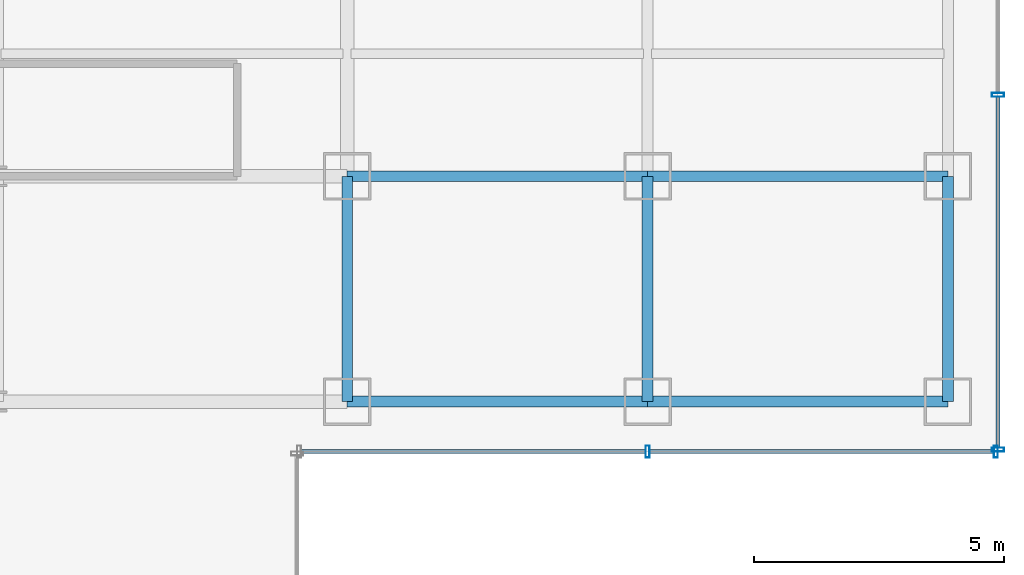
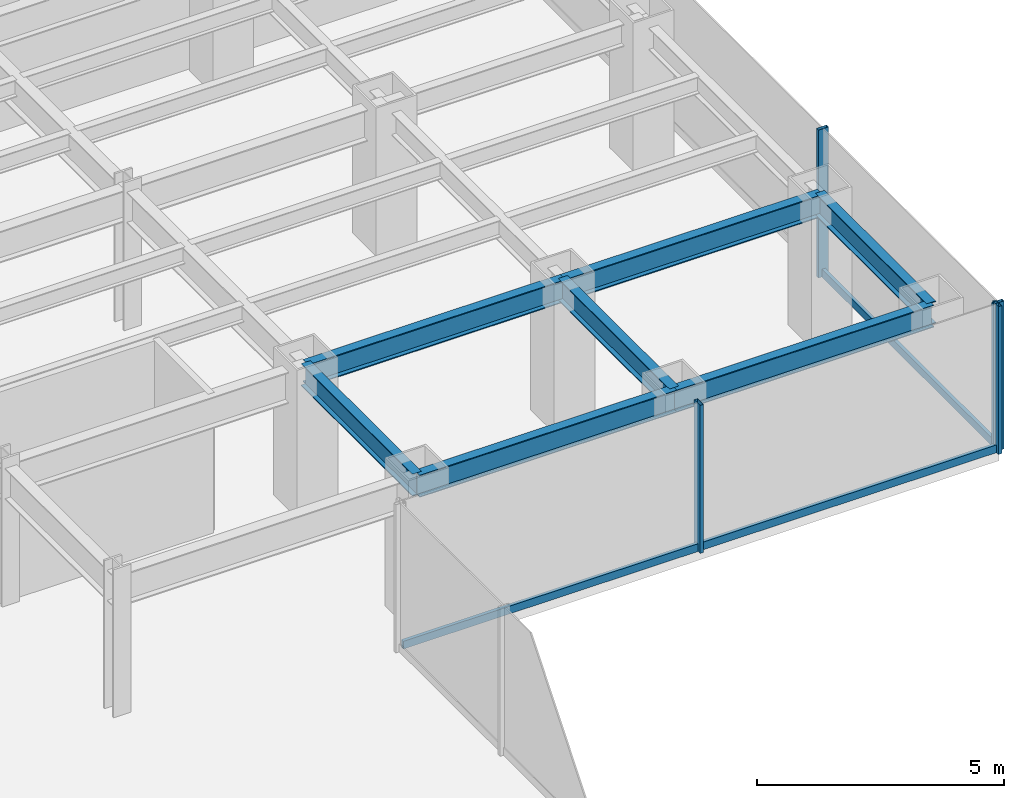
# One storey, part 7 of 23: 7 beams, 7 members, 2 elements without a shape of their own.
"""IFC4 building model written with IfcOpenShell, lengths in metres."""

from ifc_helpers import new_model, si_unit, derived_unit, direction, frame, origin, origin_2d, place, context, subcontext, project, spatial, hollow_rectangle, i_section, extrude, source, transform, mapped, material, material_profile, profile_set, type_object, element, aggregate, save


model = new_model("IFC4")

# Units and contexts
model_context = context("Model", 3, precision=1e-05, world=origin(), true_north=direction((0.0, 1.0)))
body_context = subcontext(model_context, "Body", "Model", "MODEL_VIEW")
ifc_project = project(units=[si_unit("LENGTHUNIT", "METRE"), si_unit("AREAUNIT", "SQUARE_METRE"), si_unit("VOLUMEUNIT", "CUBIC_METRE"), si_unit("PLANEANGLEUNIT", "RADIAN"), si_unit("MASSUNIT", "GRAM", prefix="KILO"), derived_unit("THERMALTRANSMITTANCEUNIT", [(si_unit("POWERUNIT", "WATT"), 1), (si_unit("LENGTHUNIT", "METRE"), -2), (si_unit("THERMODYNAMICTEMPERATUREUNIT", "KELVIN"), -1)])], contexts=[model_context])

# Site, building, storey
site_placement = place(None, origin())
site = spatial("IfcSite", under=ifc_project, at=site_placement, CompositionType="ELEMENT")
building_placement = place(site_placement, origin())
building = spatial("IfcBuilding", under=site, at=building_placement, Name="Skarnbrae Concourse Arena and Tower", CompositionType="ELEMENT")
storey_placement = place(building_placement, frame((0.0, 0.0, 54.39990234375)))
storey = spatial("IfcBuildingStorey", under=building, at=storey_placement, Name="L12", CompositionType="ELEMENT", Elevation=54.39990234375)

# Beams
ifc_material_1 = material(Name="Steel CSA G40.21 350W", Category="steel")
ifc_material_profile_1 = material_profile(ifc_material_1, i_section(OverallWidth=0.214111328125, OverallDepth=0.549072265625, WebThickness=0.0146484375, FlangeThickness=0.023681640625, at=origin_2d()), Name="W530X138")
ifc_profile_set_1 = profile_set([ifc_material_profile_1], Name="Steel CSA G40.21 350W")
beam_type = type_object("IfcBeamType", Name="BM-SPAN-W530X138", PredefinedType="SPANDREL", material=ifc_profile_set_1)
shared_shape_1 = source(origin(), body_context, "Body", "SweptSolid", [
    extrude(i_section(OverallWidth=0.214111328125, OverallDepth=0.549072265625, WebThickness=0.0146484375, FlangeThickness=0.023681640625, at=origin_2d()), origin(), (0.0, 0.0, 1.0), 6.0),
])
for number, where, z_axis, x_axis, name in (
    (1, (49.0, 9.5, 3.12548828125), (1.0, 0.0, 0.0), (0.0, 1.0, 0.0), "L12 Perimeter spandrel Y9.5-3"),
    (2, (55.0, 9.5, 3.12548828125), (1.0, 0.0, 0.0), (0.0, 1.0, 0.0), "L12 Perimeter spandrel Y9.5-4"),
    (3, (49.0, 14.0, 3.12548828125), (1.0, 0.0, 0.0), (0.0, 1.0, 0.0), "L12 Perimeter spandrel Y14.0-8"),
    (4, (55.0, 14.0, 3.12548828125), (1.0, 0.0, 0.0), (0.0, 1.0, 0.0), "L12 Perimeter spandrel Y14.0-9"),
):
    element("IfcBeam", number, at=place(storey_placement, frame(where, z_axis=z_axis, x_axis=x_axis)), inside=storey, type_object=beam_type, Name=name, PredefinedType="SPANDREL", context=body_context, shape_type="MappedRepresentation", body=[
        mapped(shared_shape_1, transform((0.0, 0.0, 0.0))),
    ])
shared_shape_2 = source(origin(), body_context, "Body", "SweptSolid", [
    extrude(i_section(OverallWidth=0.214111328125, OverallDepth=0.549072265625, WebThickness=0.0146484375, FlangeThickness=0.023681640625, at=origin_2d()), origin(), (0.0, 0.0, 1.0), 4.5),
])
for number, where, z_axis, x_axis, name in (
    (5, (49.0, 9.5, 3.12548828125), (0.0, 1.0, 0.0), (-1.0, 0.0, 0.0), "L12 Perimeter spandrel X49.0-1"),
    (6, (55.0, 9.5, 3.12548828125), (0.0, 1.0, 0.0), (-1.0, 0.0, 0.0), "L12 Perimeter spandrel X55.0-1"),
    (7, (61.0, 9.5, 3.12548828125), (0.0, 1.0, 0.0), (-1.0, 0.0, 0.0), "L12 Perimeter spandrel X61.0-1"),
):
    element("IfcBeam", number, at=place(storey_placement, frame(where, z_axis=z_axis, x_axis=x_axis)), inside=storey, type_object=beam_type, Name=name, PredefinedType="SPANDREL", context=body_context, shape_type="MappedRepresentation", body=[
        mapped(shared_shape_2, transform((0.0, 0.0, 0.0))),
    ])

# Curtain wall, members
ifc_material_2 = material(Name="Bronze anodised aluminium 6063-T6", Category="aluminium")
curtain_wall_type = type_object("IfcCurtainWallType", Name="CW-SYS-02-LOWZONE", PredefinedType="USERDEFINED", material=ifc_material_2)
curtain_wall_1_placement = place(storey_placement, origin())
curtain_wall_1 = element("IfcCurtainWall", 8, at=curtain_wall_1_placement, inside=storey, type_object=curtain_wall_type, Name="L12 Unitised curtain wall CW-L12-E03", ObjectType="UNITISED CURTAIN WALL", PredefinedType="USERDEFINED")
ifc_material_profile_2 = material_profile(ifc_material_2, hollow_rectangle(XDim=0.080078125, YDim=0.18994140625, WallThickness=0.0048828125, at=origin_2d()), Name="ALU-TRAN-80X190")
ifc_profile_set_2 = profile_set([ifc_material_profile_2], Name="Bronze anodised aluminium 6063-T6")
member_type_1 = type_object("IfcMemberType", Name="CWT-CW-02", PredefinedType="USERDEFINED", material=ifc_profile_set_2)
shared_shape_3 = source(origin(), body_context, "Body", "SweptSolid", [
    extrude(hollow_rectangle(XDim=0.080078125, YDim=0.18994140625, WallThickness=0.0048828125, at=origin_2d()), origin(), (0.0, 0.0, 1.0), 6.8798828125),
])
member_1_placement = place(storey_placement, frame((48.080078125, 8.5, 0.09521484375), z_axis=(1.0, 0.0, 0.0), x_axis=(0.0, 1.0, 0.0)))
member_1 = element("IfcMember", 9, at=member_1_placement, type_object=member_type_1, Name="CW-L12-E03 Transom 1", ObjectType="TRANSOM", PredefinedType="USERDEFINED", context=body_context, shape_type="MappedRepresentation", body=[
    mapped(shared_shape_3, transform((0.0, 0.0, 0.0))),
])
member_2_placement = place(storey_placement, frame((55.0400390625, 8.5, 0.09521484375), z_axis=(1.0, 0.0, 0.0), x_axis=(0.0, 1.0, 0.0)))
member_2 = element("IfcMember", 10, at=member_2_placement, type_object=member_type_1, Name="CW-L12-E03 Transom 2", ObjectType="TRANSOM", PredefinedType="USERDEFINED", context=body_context, shape_type="MappedRepresentation", body=[
    mapped(shared_shape_3, transform((0.0, 0.0, 0.0))),
])

# Curtain wall, member
curtain_wall_2_placement = place(storey_placement, origin())
curtain_wall_2 = element("IfcCurtainWall", 11, at=curtain_wall_2_placement, inside=storey, type_object=curtain_wall_type, Name="L12 Unitised curtain wall CW-L12-E04", ObjectType="UNITISED CURTAIN WALL", PredefinedType="USERDEFINED")
shared_shape_4 = source(origin(), body_context, "Body", "SweptSolid", [
    extrude(hollow_rectangle(XDim=0.080078125, YDim=0.18994140625, WallThickness=0.0048828125, at=origin_2d()), origin(), (0.0, 0.0, 1.0), 7.0048828125),
])
member_3_placement = place(storey_placement, frame((62.0, 8.580078125, 0.09521484375), z_axis=(0.0, 1.0, 0.0), x_axis=(-1.0, 0.0, 0.0)))
member_3 = element("IfcMember", 12, at=member_3_placement, type_object=member_type_1, Name="CW-L12-E04 Transom 1", ObjectType="TRANSOM", PredefinedType="USERDEFINED", context=body_context, shape_type="MappedRepresentation", body=[
    mapped(shared_shape_4, transform((0.0, 0.0, 0.0))),
])

# Member
ifc_material_profile_3 = material_profile(ifc_material_2, hollow_rectangle(XDim=0.080078125, YDim=0.239990234375, WallThickness=0.0048828125, at=origin_2d()), Name="ALU-MULL-80X240")
ifc_profile_set_3 = profile_set([ifc_material_profile_3], Name="Bronze anodised aluminium 6063-T6")
member_type_2 = type_object("IfcMemberType", Name="CWM-CW-02", PredefinedType="MULLION", material=ifc_profile_set_3)
shared_shape_5 = source(origin(), body_context, "Body", "SweptSolid", [
    extrude(hollow_rectangle(XDim=0.080078125, YDim=0.239990234375, WallThickness=0.0048828125, at=origin_2d()), origin(), (0.0, 0.0, 1.0), 3.650146484375),
])
member_4_placement = place(storey_placement, frame((55.0, 8.5, 0.0), z_axis=(0.0, 0.0, 1.0), x_axis=(1.0, 0.0, 0.0)))
member_4 = element("IfcMember", 13, at=member_4_placement, type_object=member_type_2, Name="CW-L12-E03 Mullion 2", PredefinedType="MULLION", context=body_context, shape_type="MappedRepresentation", body=[
    mapped(shared_shape_5, transform((0.0, 0.0, 0.0))),
])

member_5_placement = place(storey_placement, frame((61.9599609375, 8.5, 0.0), z_axis=(0.0, 0.0, 1.0), x_axis=(1.0, 0.0, 0.0)))
member_5 = element("IfcMember", 14, at=member_5_placement, type_object=member_type_2, Name="CW-L12-E03 Mullion 3", PredefinedType="MULLION", context=body_context, shape_type="MappedRepresentation", body=[
    mapped(shared_shape_5, transform((0.0, 0.0, 0.0))),
])

aggregate(curtain_wall_1, [member_4, member_5, member_1, member_2])

member_6_placement = place(storey_placement, frame((62.0, 8.5400390625, 0.0), z_axis=(0.0, 0.0, 1.0), x_axis=(0.0, 1.0, 0.0)))
member_6 = element("IfcMember", 15, at=member_6_placement, type_object=member_type_2, Name="CW-L12-E04 Mullion 1", PredefinedType="MULLION", context=body_context, shape_type="MappedRepresentation", body=[
    mapped(shared_shape_5, transform((0.0, 0.0, 0.0))),
])

member_7_placement = place(storey_placement, frame((62.0, 15.625, 0.0), z_axis=(0.0, 0.0, 1.0), x_axis=(0.0, 1.0, 0.0)))
member_7 = element("IfcMember", 16, at=member_7_placement, type_object=member_type_2, Name="CW-L12-E04 Mullion 2", PredefinedType="MULLION", context=body_context, shape_type="MappedRepresentation", body=[
    mapped(shared_shape_5, transform((0.0, 0.0, 0.0))),
])

aggregate(curtain_wall_2, [member_6, member_7, member_3])

save(model, "model.ifc")
